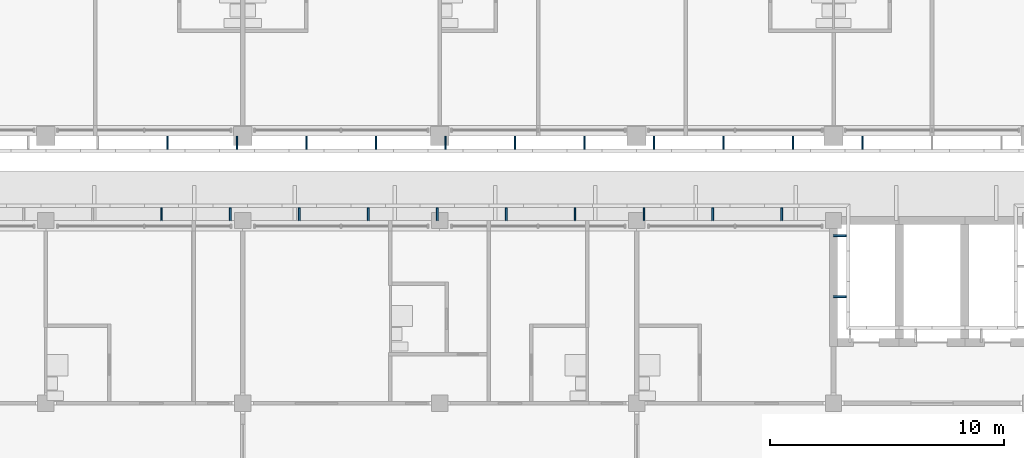
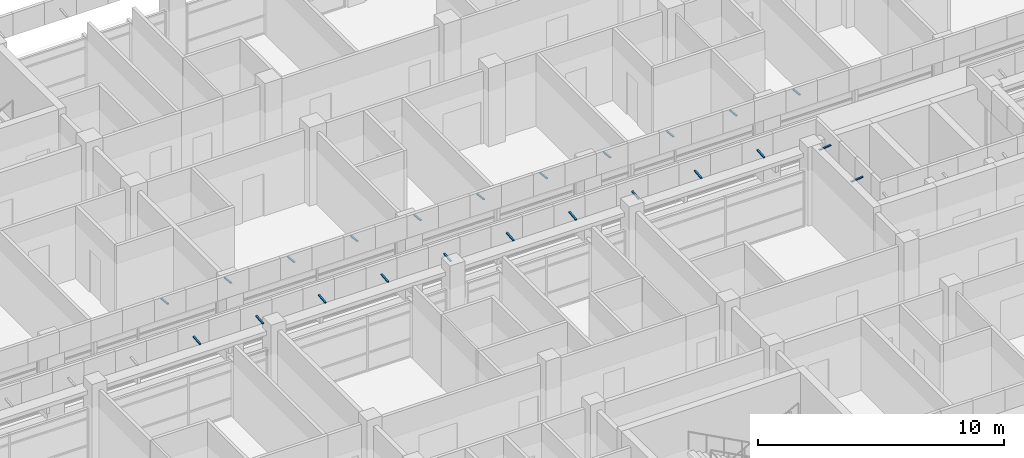
# One storey, part 52 of 71: 23 discrete accessories.
"""IFC4 building model written with IfcOpenShell, lengths in metres."""

from ifc_helpers import new_model, si_unit, direction, frame, origin, origin_2d, place, context, subcontext, project, spatial, rectangle, extrude, material, material_profile, profile_set, type_object, element, save


model = new_model("IFC4")

# Units and contexts
model_context = context("Model", 3, precision=1e-05, world=origin(), true_north=direction((0.0, 1.0)))
body_context = subcontext(model_context, "Body", "Model", "MODEL_VIEW")
ifc_project = project(units=[si_unit("LENGTHUNIT", "METRE"), si_unit("AREAUNIT", "SQUARE_METRE"), si_unit("VOLUMEUNIT", "CUBIC_METRE"), si_unit("PLANEANGLEUNIT", "RADIAN"), si_unit("MASSUNIT", "GRAM", prefix="KILO")], contexts=[model_context])

# Site, building, storey
site_placement = place(None, origin())
site = spatial("IfcSite", under=ifc_project, at=site_placement, CompositionType="ELEMENT")
building_placement = place(site_placement, origin())
building = spatial("IfcBuilding", under=site, at=building_placement, Name="Bougainvillea Quay General Hospital", CompositionType="ELEMENT")
storey_placement = place(building_placement, frame((0.0, 0.0, 24.89990234375)))
storey = spatial("IfcBuildingStorey", under=building, at=storey_placement, Name="L05", CompositionType="ELEMENT", Elevation=24.89990234375)

# Discrete accessories
ifc_material = material(Name="Stainless steel bracket, grade 316", Category="steel")
ifc_material_profile = material_profile(ifc_material, rectangle(XDim=0.080078125, YDim=0.050048828125, at=origin_2d()))
ifc_profile_set = profile_set([ifc_material_profile], Name="Stainless steel bracket, grade 316")
discrete_accessory_type = type_object("IfcDiscreteAccessoryType", Name="Stainless steel stand-off bracket 80x50", PredefinedType="BRACKET", material=ifc_profile_set)
for number, where, z_axis, x_axis, name in (
    (1, (105.98828125, 140.39990234375, 3.840087890625), (0.0, -0.994086591779, 0.108590276011), (1.0, 0.0, 0.0), "Fascia bracket e0 161"),
    (2, (108.952880859375, 140.39990234375, 3.840087890625), (0.0, -0.994086591779, 0.108590276011), (1.0, 0.0, 0.0), "Fascia bracket e0 163"),
    (3, (111.917724609375, 140.39990234375, 3.840087890625), (0.0, -0.994086591779, 0.108590276011), (1.0, 0.0, 0.0), "Fascia bracket e0 165"),
    (4, (114.88232421875, 140.39990234375, 3.840087890625), (0.0, -0.994086591779, 0.108590276011), (1.0, 0.0, 0.0), "Fascia bracket e0 167"),
    (5, (117.84716796875, 140.39990234375, 3.840087890625), (0.0, -0.994086591779, 0.108590276011), (1.0, 0.0, 0.0), "Fascia bracket e0 169"),
    (6, (120.811767578125, 140.39990234375, 3.840087890625), (0.0, -0.994086591779, 0.108590276011), (1.0, 0.0, 0.0), "Fascia bracket e0 171"),
    (7, (123.7763671875, 140.39990234375, 3.840087890625), (0.0, -0.994086591779, 0.108590276011), (1.0, 0.0, 0.0), "Fascia bracket e0 173"),
    (8, (126.7412109375, 140.39990234375, 3.840087890625), (0.0, -0.994086591779, 0.108590276011), (1.0, 0.0, 0.0), "Fascia bracket e0 175"),
    (9, (129.705810546875, 140.39990234375, 3.840087890625), (0.0, -0.994086591779, 0.108590276011), (1.0, 0.0, 0.0), "Fascia bracket e0 177"),
    (10, (132.670654296875, 140.39990234375, 3.840087890625), (0.0, -0.994086591779, 0.108590276011), (1.0, 0.0, 0.0), "Fascia bracket e0 179"),
    (11, (135.63525390625, 140.39990234375, 3.840087890625), (0.0, -0.994086591779, 0.108590276011), (1.0, 0.0, 0.0), "Fascia bracket e0 181"),
):
    element("IfcDiscreteAccessory", number, at=place(storey_placement, frame(where, z_axis=z_axis, x_axis=x_axis)), inside=storey, type_object=discrete_accessory_type, Name=name, PredefinedType="BRACKET", context=body_context, shape_type="SweptSolid", body=[
        extrude(rectangle(XDim=0.080078125, YDim=0.050048828125, at=origin_2d()), origin(), (0.0, 0.0, 1.0), 0.552978515625),
    ])
for number, where, z_axis, x_axis, name in (
    (12, (134.39990234375, 133.550048828125, 3.840087890625), (0.994091793559, 0.0, 0.108542645901), (0.0, 1.0, 0.0), "Fascia bracket e0 139"),
    (13, (134.39990234375, 136.14990234375, 3.840087890625), (0.994091793559, 0.0, 0.108542645901), (0.0, 1.0, 0.0), "Fascia bracket e0 141"),
    (14, (132.195068359375, 136.800048828125, 3.840087890625), (0.0, 0.994091793559, 0.108542645901), (-1.0, 0.0, 0.0), "Fascia bracket e0 143"),
    (15, (129.2548828125, 136.800048828125, 3.840087890625), (0.0, 0.994091793559, 0.108542645901), (-1.0, 0.0, 0.0), "Fascia bracket e0 145"),
    (16, (126.31494140625, 136.800048828125, 3.840087890625), (0.0, 0.994091793559, 0.108542645901), (-1.0, 0.0, 0.0), "Fascia bracket e0 147"),
    (17, (123.375, 136.800048828125, 3.840087890625), (0.0, 0.994091793559, 0.108542645901), (-1.0, 0.0, 0.0), "Fascia bracket e0 149"),
    (18, (120.43505859375, 136.800048828125, 3.840087890625), (0.0, 0.994091793559, 0.108542645901), (-1.0, 0.0, 0.0), "Fascia bracket e0 151"),
    (19, (117.4951171875, 136.800048828125, 3.840087890625), (0.0, 0.994091793559, 0.108542645901), (-1.0, 0.0, 0.0), "Fascia bracket e0 153"),
    (20, (114.554931640625, 136.800048828125, 3.840087890625), (0.0, 0.994091793559, 0.108542645901), (-1.0, 0.0, 0.0), "Fascia bracket e0 155"),
    (21, (111.614990234375, 136.800048828125, 3.840087890625), (0.0, 0.994091793559, 0.108542645901), (-1.0, 0.0, 0.0), "Fascia bracket e0 157"),
    (22, (108.675048828125, 136.800048828125, 3.840087890625), (0.0, 0.994091793559, 0.108542645901), (-1.0, 0.0, 0.0), "Fascia bracket e0 159"),
    (23, (105.735107421875, 136.800048828125, 3.840087890625), (0.0, 0.994091793559, 0.108542645901), (-1.0, 0.0, 0.0), "Fascia bracket e0 161"),
):
    element("IfcDiscreteAccessory", number, at=place(storey_placement, frame(where, z_axis=z_axis, x_axis=x_axis)), inside=storey, type_object=discrete_accessory_type, Name=name, PredefinedType="BRACKET", context=body_context, shape_type="SweptSolid", body=[
        extrude(rectangle(XDim=0.080078125, YDim=0.050048828125, at=origin_2d()), origin(), (0.0, 0.0, 1.0), 0.55322265625),
    ])

save(model, "model.ifc")
